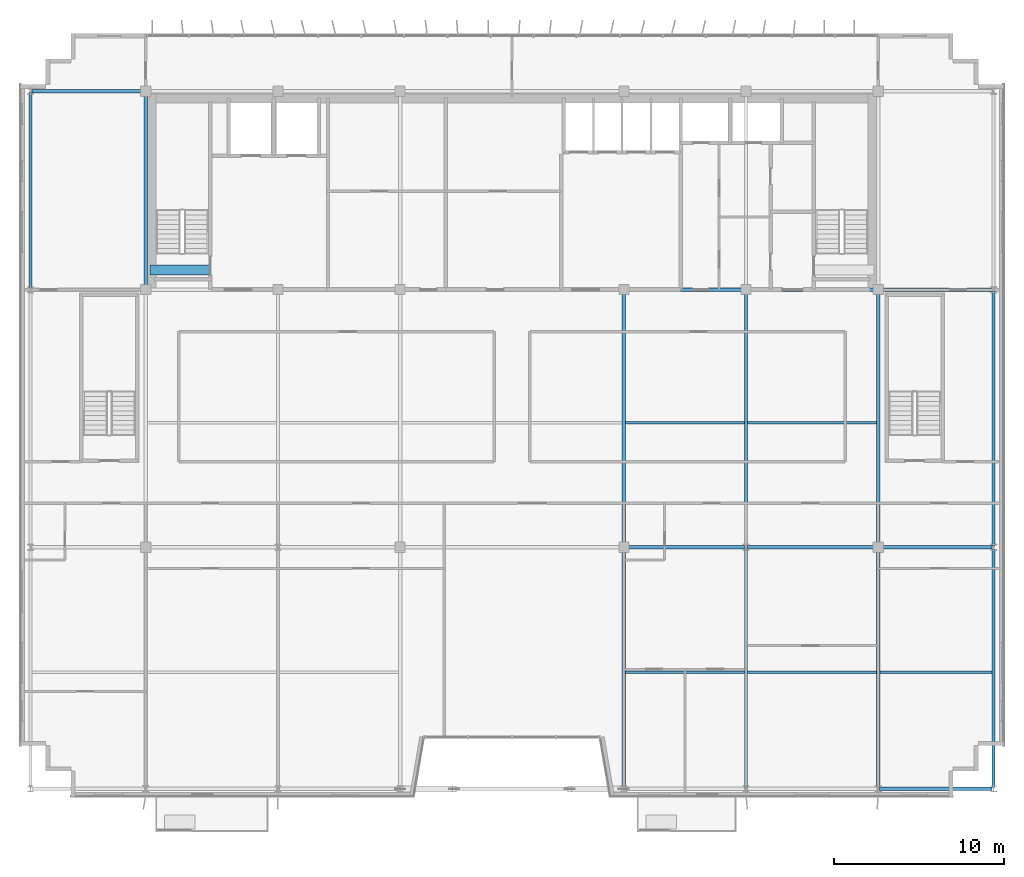
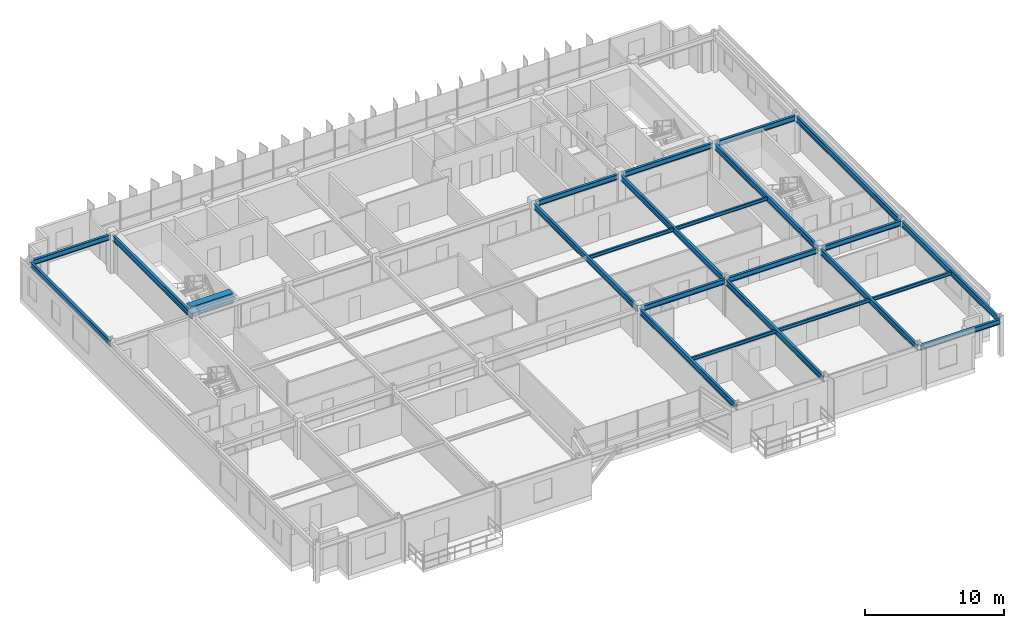
# One storey, part 9 of 28: 24 beams.
"""IFC4 building model written with IfcOpenShell, lengths in metres."""

from ifc_helpers import new_model, si_unit, direction, frame, origin, origin_2d, place, context, subcontext, project, spatial, rectangle, i_section, extrude, source, transform, mapped, material, material_profile, profile_set, type_object, element, save


model = new_model("IFC4")

# Units and contexts
model_context = context("Model", 3, precision=1e-05, world=origin(), true_north=direction((0.0, 1.0)))
body_context = subcontext(model_context, "Body", "Model", "MODEL_VIEW")
ifc_project = project(units=[si_unit("LENGTHUNIT", "METRE"), si_unit("AREAUNIT", "SQUARE_METRE"), si_unit("VOLUMEUNIT", "CUBIC_METRE"), si_unit("PLANEANGLEUNIT", "RADIAN"), si_unit("MASSUNIT", "GRAM", prefix="KILO")], contexts=[model_context])

# Site, building, storey
site_placement = place(None, origin())
site = spatial("IfcSite", under=ifc_project, at=site_placement, CompositionType="ELEMENT")
building_placement = place(site_placement, origin())
building = spatial("IfcBuilding", under=site, at=building_placement, Name="Trelvane Seafront Commons", CompositionType="ELEMENT")
storey_placement = place(building_placement, frame((0.0, 0.0, 295.5)))
storey = spatial("IfcBuildingStorey", under=building, at=storey_placement, Name="L77", CompositionType="ELEMENT", Elevation=295.5)

# Beams
ifc_material_1 = material(Name="Concrete C60/75", Category="concrete")
ifc_material_profile_1 = material_profile(ifc_material_1, rectangle(XDim=0.60009765625, YDim=0.89990234375, at=origin_2d()), Name="RC-600x900")
ifc_profile_set_1 = profile_set([ifc_material_profile_1], Name="Concrete C60/75")
beam_type_1 = type_object("IfcBeamType", Name="STR-LNT-RC600x900", PredefinedType="LINTEL", material=ifc_profile_set_1)
shared_shape_1 = source(origin(), body_context, "Body", "SweptSolid", [
    extrude(rectangle(XDim=0.60009765625, YDim=0.89990234375, at=origin_2d()), origin(), (0.0, 0.0, 1.0), 3.5498046875),
])
beam_1_placement = place(storey_placement, frame((15.85009765625, 34.550048828125, 2.81005859375), z_axis=(1.0, 0.0, 0.0), x_axis=(0.0, 1.0, 0.0)))
element("IfcBeam", 1, at=beam_1_placement, inside=storey, type_object=beam_type_1, Name="L77 Core Coupling Lintel Beam CB-66", PredefinedType="LINTEL", context=body_context, shape_type="MappedRepresentation", body=[
    mapped(shared_shape_1, transform((0.0, 0.0, 0.0), x_axis=(1.0, 0.0, 0.0), y_axis=(0.0, 1.0, 0.0), z_axis=(0.0, 0.0, 1.0), scale=1.0)),
])
ifc_material_2 = material(Name="Steel SM355 (S355)", Category="steel")
ifc_material_profile_2 = material_profile(ifc_material_2, i_section(OverallWidth=0.199951171875, OverallDepth=0.5, WebThickness=0.010009765625, FlangeThickness=0.01611328125, at=origin_2d()), Name="H-500x200x10x16")
ifc_profile_set_2 = profile_set([ifc_material_profile_2], Name="Steel SM355 (S355)")
beam_type_2 = type_object("IfcBeamType", Name="STR-BM-H500", PredefinedType="BEAM", material=ifc_profile_set_2)
shared_shape_2 = source(origin(), body_context, "Body", "SweptSolid", [
    extrude(i_section(OverallWidth=0.199951171875, OverallDepth=0.5, WebThickness=0.010009765625, FlangeThickness=0.01611328125, at=origin_2d()), origin(), (0.0, 0.0, 1.0), 14.89990234375),
])
for number, where, z_axis, x_axis, name in (
    (2, (43.800048828125, 18.35009765625, 3.010009765625), (0.0, 1.0, 0.0), (-1.0, 0.0, 0.0), "L77 Primary Girder G-42"),
    (3, (58.800048828125, 18.35009765625, 3.010009765625), (0.0, 1.0, 0.0), (-1.0, 0.0, 0.0), "L77 Primary Girder G-48"),
):
    element("IfcBeam", number, at=place(storey_placement, frame(where, z_axis=z_axis, x_axis=x_axis)), inside=storey, type_object=beam_type_2, Name=name, PredefinedType="BEAM", context=body_context, shape_type="MappedRepresentation", body=[
        mapped(shared_shape_2, transform((0.0, 0.0, 0.0), x_axis=(1.0, 0.0, 0.0), y_axis=(0.0, 1.0, 0.0), z_axis=(0.0, 0.0, 1.0), scale=1.0)),
    ])
shared_shape_3 = source(origin(), body_context, "Body", "SweptSolid", [
    extrude(i_section(OverallWidth=0.199951171875, OverallDepth=0.5, WebThickness=0.010009765625, FlangeThickness=0.01611328125, at=origin_2d()), origin(), (0.0, 0.0, 1.0), 11.39990234375),
])
beam_2_placement = place(storey_placement, frame((15.60009765625, 33.550048828125, 3.010009765625), z_axis=(0.0, 1.0, 0.0), x_axis=(-1.0, 0.0, 0.0)))
element("IfcBeam", 4, at=beam_2_placement, inside=storey, type_object=beam_type_2, Name="L77 Primary Girder G-34", PredefinedType="BEAM", context=body_context, shape_type="MappedRepresentation", body=[
    mapped(shared_shape_3, transform((0.0, 0.0, 0.0), x_axis=(1.0, 0.0, 0.0), y_axis=(0.0, 1.0, 0.0), z_axis=(0.0, 0.0, 1.0), scale=1.0)),
])
ifc_material_profile_3 = material_profile(ifc_material_2, i_section(OverallWidth=0.199951171875, OverallDepth=0.449951171875, WebThickness=0.009033203125, FlangeThickness=0.013916015625, at=origin_2d()), Name="H-450x200x9x14")
ifc_profile_set_3 = profile_set([ifc_material_profile_3], Name="Steel SM355 (S355)")
beam_type_3 = type_object("IfcBeamType", Name="STR-SPD-H450", PredefinedType="SPANDREL", material=ifc_profile_set_3)
shared_shape_4 = source(origin(), body_context, "Body", "SweptSolid", [
    extrude(i_section(OverallWidth=0.199951171875, OverallDepth=0.449951171875, WebThickness=0.009033203125, FlangeThickness=0.013916015625, at=origin_2d()), origin(), (0.0, 0.0, 1.0), 6.625),
])
beam_3_placement = place(storey_placement, frame((58.887451171875, 3.949951171875, 3.034912109375), z_axis=(1.0, 0.0, 0.0), x_axis=(0.0, 1.0, 0.0)))
element("IfcBeam", 5, at=beam_3_placement, inside=storey, type_object=beam_type_3, Name="L77 Primary Girder G-07", PredefinedType="SPANDREL", context=body_context, shape_type="MappedRepresentation", body=[
    mapped(shared_shape_4, transform((0.0, 0.0, 0.0), x_axis=(1.0, 0.0, 0.0), y_axis=(0.0, 1.0, 0.0), z_axis=(0.0, 0.0, 1.0), scale=1.0)),
])
shared_shape_5 = source(origin(), body_context, "Body", "SweptSolid", [
    extrude(i_section(OverallWidth=0.199951171875, OverallDepth=0.449951171875, WebThickness=0.009033203125, FlangeThickness=0.013916015625, at=origin_2d()), origin(), (0.0, 0.0, 1.0), 6.5625),
])
for number, where, z_axis, x_axis, name in (
    (6, (58.949951171875, 18.199951171875, 3.034912109375), (1.0, 0.0, 0.0), (0.0, 1.0, 0.0), "L77 Primary Girder G-14"),
    (7, (58.949951171875, 33.39990234375, 3.034912109375), (1.0, 0.0, 0.0), (0.0, 1.0, 0.0), "L77 Primary Girder G-21"),
    (8, (8.887451171875, 45.10009765625, 3.034912109375), (1.0, 0.0, 0.0), (0.0, 1.0, 0.0), "L77 Primary Girder G-22"),
):
    element("IfcBeam", number, at=place(storey_placement, frame(where, z_axis=z_axis, x_axis=x_axis)), inside=storey, type_object=beam_type_3, Name=name, PredefinedType="SPANDREL", context=body_context, shape_type="MappedRepresentation", body=[
        mapped(shared_shape_5, transform((0.0, 0.0, 0.0), x_axis=(1.0, 0.0, 0.0), y_axis=(0.0, 1.0, 0.0), z_axis=(0.0, 0.0, 1.0), scale=1.0)),
    ])
shared_shape_6 = source(origin(), body_context, "Body", "SweptSolid", [
    extrude(i_section(OverallWidth=0.199951171875, OverallDepth=0.449951171875, WebThickness=0.009033203125, FlangeThickness=0.013916015625, at=origin_2d()), origin(), (0.0, 0.0, 1.0), 7.5625),
])
beam_4_placement = place(storey_placement, frame((51.08740234375, 18.199951171875, 3.034912109375), z_axis=(1.0, 0.0, 0.0), x_axis=(0.0, 1.0, 0.0)))
element("IfcBeam", 9, at=beam_4_placement, inside=storey, type_object=beam_type_3, Name="L77 Primary Girder G-13", PredefinedType="SPANDREL", context=body_context, shape_type="MappedRepresentation", body=[
    mapped(shared_shape_6, transform((0.0, 0.0, 0.0), x_axis=(1.0, 0.0, 0.0), y_axis=(0.0, 1.0, 0.0), z_axis=(0.0, 0.0, 1.0), scale=1.0)),
])
shared_shape_7 = source(origin(), body_context, "Body", "SweptSolid", [
    extrude(i_section(OverallWidth=0.199951171875, OverallDepth=0.449951171875, WebThickness=0.009033203125, FlangeThickness=0.013916015625, at=origin_2d()), origin(), (0.0, 0.0, 1.0), 6.962646484375),
])
beam_5_placement = place(storey_placement, frame((43.949951171875, 18.199951171875, 3.034912109375), z_axis=(1.0, 0.0, 0.0), x_axis=(0.0, 1.0, 0.0)))
element("IfcBeam", 10, at=beam_5_placement, inside=storey, type_object=beam_type_3, Name="L77 Primary Girder G-12", PredefinedType="SPANDREL", context=body_context, shape_type="MappedRepresentation", body=[
    mapped(shared_shape_7, transform((0.0, 0.0, 0.0), x_axis=(1.0, 0.0, 0.0), y_axis=(0.0, 1.0, 0.0), z_axis=(0.0, 0.0, 1.0), scale=1.0)),
])
shared_shape_8 = source(origin(), body_context, "Body", "SweptSolid", [
    extrude(i_section(OverallWidth=0.199951171875, OverallDepth=0.449951171875, WebThickness=0.009033203125, FlangeThickness=0.013916015625, at=origin_2d()), origin(), (0.0, 0.0, 1.0), 7.5),
])
beam_6_placement = place(storey_placement, frame((51.14990234375, 33.39990234375, 3.034912109375), z_axis=(1.0, 0.0, 0.0), x_axis=(0.0, 1.0, 0.0)))
element("IfcBeam", 11, at=beam_6_placement, inside=storey, type_object=beam_type_3, Name="L77 Primary Girder G-20", PredefinedType="SPANDREL", context=body_context, shape_type="MappedRepresentation", body=[
    mapped(shared_shape_8, transform((0.0, 0.0, 0.0), x_axis=(1.0, 0.0, 0.0), y_axis=(0.0, 1.0, 0.0), z_axis=(0.0, 0.0, 1.0), scale=1.0)),
])
shared_shape_9 = source(origin(), body_context, "Body", "SweptSolid", [
    extrude(i_section(OverallWidth=0.199951171875, OverallDepth=0.449951171875, WebThickness=0.009033203125, FlangeThickness=0.013916015625, at=origin_2d()), origin(), (0.0, 0.0, 1.0), 6.900146484375),
])
beam_7_placement = place(storey_placement, frame((43.949951171875, 33.39990234375, 3.034912109375), z_axis=(1.0, 0.0, 0.0), x_axis=(0.0, 1.0, 0.0)))
element("IfcBeam", 12, at=beam_7_placement, inside=storey, type_object=beam_type_3, Name="L77 Primary Girder G-19", PredefinedType="SPANDREL", context=body_context, shape_type="MappedRepresentation", body=[
    mapped(shared_shape_9, transform((0.0, 0.0, 0.0), x_axis=(1.0, 0.0, 0.0), y_axis=(0.0, 1.0, 0.0), z_axis=(0.0, 0.0, 1.0), scale=1.0)),
])
shared_shape_10 = source(origin(), body_context, "Body", "SweptSolid", [
    extrude(i_section(OverallWidth=0.199951171875, OverallDepth=0.5, WebThickness=0.010009765625, FlangeThickness=0.01611328125, at=origin_2d()), origin(), (0.0, 0.0, 1.0), 14.074951171875),
])
for number, where, z_axis, x_axis, name in (
    (13, (51.0, 4.03759765625, 3.010009765625), (0.0, 1.0, 0.0), (-1.0, 0.0, 0.0), "L77 Primary Girder G-44"),
    (14, (65.60009765625, 4.03759765625, 3.010009765625), (0.0, 1.0, 0.0), (-1.0, 0.0, 0.0), "L77 Primary Girder G-50"),
):
    element("IfcBeam", number, at=place(storey_placement, frame(where, z_axis=z_axis, x_axis=x_axis)), inside=storey, type_object=beam_type_2, Name=name, PredefinedType="BEAM", context=body_context, shape_type="MappedRepresentation", body=[
        mapped(shared_shape_10, transform((0.0, 0.0, 0.0), x_axis=(1.0, 0.0, 0.0), y_axis=(0.0, 1.0, 0.0), z_axis=(0.0, 0.0, 1.0), scale=1.0)),
    ])
shared_shape_11 = source(origin(), body_context, "Body", "SweptSolid", [
    extrude(i_section(OverallWidth=0.199951171875, OverallDepth=0.5, WebThickness=0.010009765625, FlangeThickness=0.01611328125, at=origin_2d()), origin(), (0.0, 0.0, 1.0), 15.02490234375),
])
beam_8_placement = place(storey_placement, frame((65.60009765625, 18.28759765625, 3.010009765625), z_axis=(0.0, 1.0, 0.0), x_axis=(-1.0, 0.0, 0.0)))
element("IfcBeam", 15, at=beam_8_placement, inside=storey, type_object=beam_type_2, Name="L77 Primary Girder G-51", PredefinedType="BEAM", context=body_context, shape_type="MappedRepresentation", body=[
    mapped(shared_shape_11, transform((0.0, 0.0, 0.0), x_axis=(1.0, 0.0, 0.0), y_axis=(0.0, 1.0, 0.0), z_axis=(0.0, 0.0, 1.0), scale=1.0)),
])
shared_shape_12 = source(origin(), body_context, "Body", "SweptSolid", [
    extrude(i_section(OverallWidth=0.199951171875, OverallDepth=0.5, WebThickness=0.010009765625, FlangeThickness=0.01611328125, at=origin_2d()), origin(), (0.0, 0.0, 1.0), 11.52490234375),
])
beam_9_placement = place(storey_placement, frame((8.800048828125, 33.487548828125, 3.010009765625), z_axis=(0.0, 1.0, 0.0), x_axis=(-1.0, 0.0, 0.0)))
element("IfcBeam", 16, at=beam_9_placement, inside=storey, type_object=beam_type_2, Name="L77 Primary Girder G-31", PredefinedType="BEAM", context=body_context, shape_type="MappedRepresentation", body=[
    mapped(shared_shape_12, transform((0.0, 0.0, 0.0), x_axis=(1.0, 0.0, 0.0), y_axis=(0.0, 1.0, 0.0), z_axis=(0.0, 0.0, 1.0), scale=1.0)),
])
shared_shape_13 = source(origin(), body_context, "Body", "SweptSolid", [
    extrude(i_section(OverallWidth=0.199951171875, OverallDepth=0.5, WebThickness=0.010009765625, FlangeThickness=0.01611328125, at=origin_2d()), origin(), (0.0, 0.0, 1.0), 14.012451171875),
])
for number, where, z_axis, x_axis, name in (
    (17, (43.800048828125, 4.03759765625, 3.010009765625), (0.0, 1.0, 0.0), (-1.0, 0.0, 0.0), "L77 Primary Girder G-41"),
    (18, (58.800048828125, 4.03759765625, 3.010009765625), (0.0, 1.0, 0.0), (-1.0, 0.0, 0.0), "L77 Primary Girder G-47"),
):
    element("IfcBeam", number, at=place(storey_placement, frame(where, z_axis=z_axis, x_axis=x_axis)), inside=storey, type_object=beam_type_2, Name=name, PredefinedType="BEAM", context=body_context, shape_type="MappedRepresentation", body=[
        mapped(shared_shape_13, transform((0.0, 0.0, 0.0), x_axis=(1.0, 0.0, 0.0), y_axis=(0.0, 1.0, 0.0), z_axis=(0.0, 0.0, 1.0), scale=1.0)),
    ])
shared_shape_14 = source(origin(), body_context, "Body", "SweptSolid", [
    extrude(i_section(OverallWidth=0.199951171875, OverallDepth=0.5, WebThickness=0.010009765625, FlangeThickness=0.01611328125, at=origin_2d()), origin(), (0.0, 0.0, 1.0), 14.96240234375),
])
beam_10_placement = place(storey_placement, frame((51.0, 18.28759765625, 3.010009765625), z_axis=(0.0, 1.0, 0.0), x_axis=(-1.0, 0.0, 0.0)))
element("IfcBeam", 19, at=beam_10_placement, inside=storey, type_object=beam_type_2, Name="L77 Primary Girder G-45", PredefinedType="BEAM", context=body_context, shape_type="MappedRepresentation", body=[
    mapped(shared_shape_14, transform((0.0, 0.0, 0.0), x_axis=(1.0, 0.0, 0.0), y_axis=(0.0, 1.0, 0.0), z_axis=(0.0, 0.0, 1.0), scale=1.0)),
])
ifc_material_profile_4 = material_profile(ifc_material_2, i_section(OverallWidth=0.14990234375, OverallDepth=0.300048828125, WebThickness=0.006591796875, FlangeThickness=0.009033203125, at=origin_2d()), Name="H-300x150x6.5x9")
ifc_profile_set_4 = profile_set([ifc_material_profile_4], Name="Steel SM355 (S355)")
beam_type_4 = type_object("IfcBeamType", Name="STR-JST-H300", PredefinedType="JOIST", material=ifc_profile_set_4)
shared_shape_15 = source(origin(), body_context, "Body", "SweptSolid", [
    extrude(i_section(OverallWidth=0.14990234375, OverallDepth=0.300048828125, WebThickness=0.006591796875, FlangeThickness=0.009033203125, at=origin_2d()), origin(), (0.0, 0.0, 1.0), 6.60009765625),
])
beam_11_placement = place(storey_placement, frame((58.89990234375, 10.824951171875, 3.110107421875), z_axis=(1.0, 0.0, 0.0), x_axis=(0.0, 1.0, 0.0)))
element("IfcBeam", 20, at=beam_11_placement, inside=storey, type_object=beam_type_4, Name="L77 Secondary Floor Joist B-58", PredefinedType="JOIST", context=body_context, shape_type="MappedRepresentation", body=[
    mapped(shared_shape_15, transform((0.0, 0.0, 0.0), x_axis=(1.0, 0.0, 0.0), y_axis=(0.0, 1.0, 0.0), z_axis=(0.0, 0.0, 1.0), scale=1.0)),
])
shared_shape_16 = source(origin(), body_context, "Body", "SweptSolid", [
    extrude(i_section(OverallWidth=0.14990234375, OverallDepth=0.300048828125, WebThickness=0.006591796875, FlangeThickness=0.009033203125, at=origin_2d()), origin(), (0.0, 0.0, 1.0), 7.0),
])
for number, where, z_axis, x_axis, name in (
    (21, (43.89990234375, 10.824951171875, 3.110107421875), (1.0, 0.0, 0.0), (0.0, 1.0, 0.0), "L77 Secondary Floor Joist B-56"),
    (22, (43.89990234375, 25.550048828125, 3.110107421875), (1.0, 0.0, 0.0), (0.0, 1.0, 0.0), "L77 Secondary Floor Joist B-63"),
):
    element("IfcBeam", number, at=place(storey_placement, frame(where, z_axis=z_axis, x_axis=x_axis)), inside=storey, type_object=beam_type_4, Name=name, PredefinedType="JOIST", context=body_context, shape_type="MappedRepresentation", body=[
        mapped(shared_shape_16, transform((0.0, 0.0, 0.0), x_axis=(1.0, 0.0, 0.0), y_axis=(0.0, 1.0, 0.0), z_axis=(0.0, 0.0, 1.0), scale=1.0)),
    ])
shared_shape_17 = source(origin(), body_context, "Body", "SweptSolid", [
    extrude(i_section(OverallWidth=0.14990234375, OverallDepth=0.300048828125, WebThickness=0.006591796875, FlangeThickness=0.009033203125, at=origin_2d()), origin(), (0.0, 0.0, 1.0), 7.599853515625),
])
for number, where, z_axis, x_axis, name in (
    (23, (51.10009765625, 10.824951171875, 3.110107421875), (1.0, 0.0, 0.0), (0.0, 1.0, 0.0), "L77 Secondary Floor Joist B-57"),
    (24, (51.10009765625, 25.550048828125, 3.110107421875), (1.0, 0.0, 0.0), (0.0, 1.0, 0.0), "L77 Secondary Floor Joist B-64"),
):
    element("IfcBeam", number, at=place(storey_placement, frame(where, z_axis=z_axis, x_axis=x_axis)), inside=storey, type_object=beam_type_4, Name=name, PredefinedType="JOIST", context=body_context, shape_type="MappedRepresentation", body=[
        mapped(shared_shape_17, transform((0.0, 0.0, 0.0), x_axis=(1.0, 0.0, 0.0), y_axis=(0.0, 1.0, 0.0), z_axis=(0.0, 0.0, 1.0), scale=1.0)),
    ])

save(model, "model.ifc")
